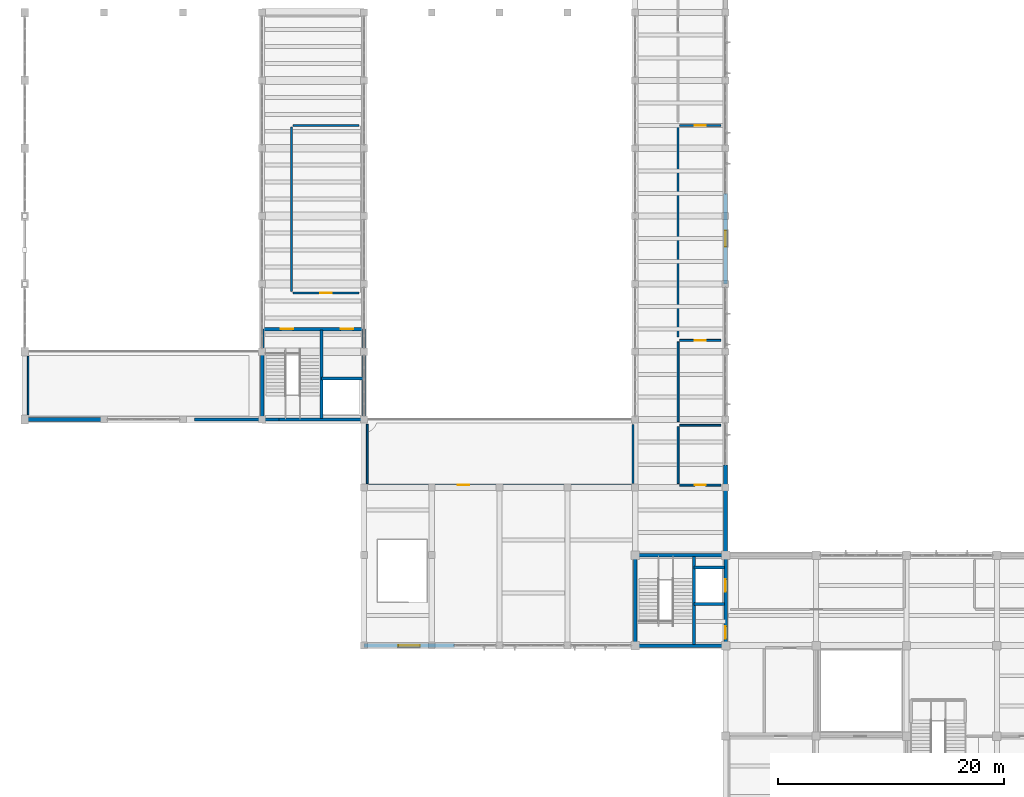
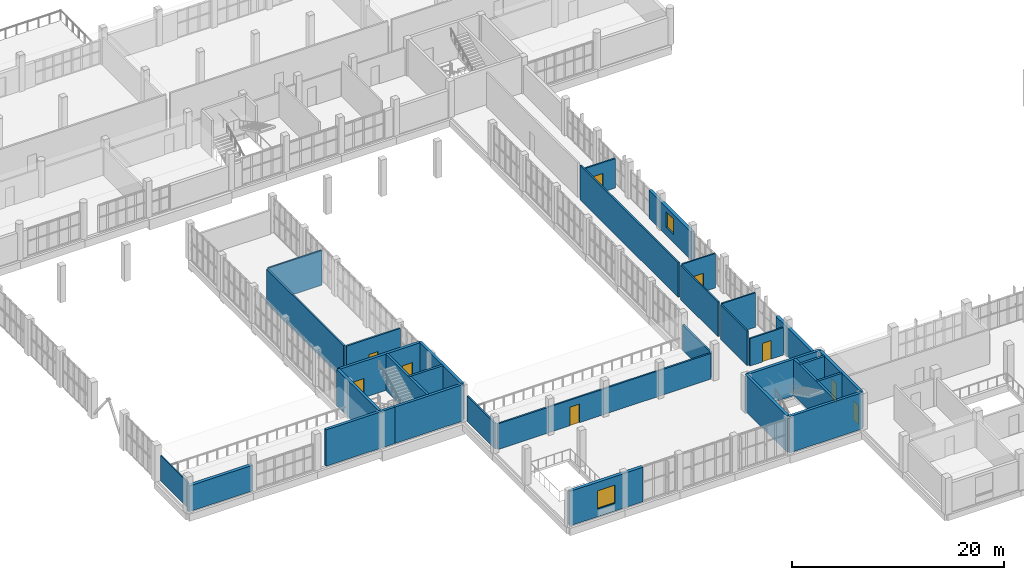
# One storey, part 63 of 85: 32 walls, 9 doors, 2 windows, 11 openings.
"""IFC4 building model written with IfcOpenShell, lengths in metres."""

from ifc_helpers import new_model, si_unit, direction, frame, frame_2d, origin, place, context, subcontext, project, spatial, rectangle, extrude, material, layer, layer_set, type_object, element, fill, save


model = new_model("IFC4")

# Units and contexts
model_context = context("Model", 3, precision=1e-05, world=origin(), true_north=direction((0.0, 1.0)))
body_context = subcontext(model_context, "Body", "Model", "MODEL_VIEW")
ifc_project = project(units=[si_unit("LENGTHUNIT", "METRE"), si_unit("AREAUNIT", "SQUARE_METRE"), si_unit("VOLUMEUNIT", "CUBIC_METRE"), si_unit("PLANEANGLEUNIT", "RADIAN"), si_unit("MASSUNIT", "GRAM", prefix="KILO")], contexts=[model_context])

# Site, building, storey
site_placement = place(None, origin())
site = spatial("IfcSite", under=ifc_project, at=site_placement, CompositionType="ELEMENT")
building_placement = place(site_placement, origin())
building = spatial("IfcBuilding", under=site, at=building_placement, Name="Solvane Community Centre", CompositionType="ELEMENT")
storey_placement = place(building_placement, frame((0.0, 0.0, 5.39990234375)))
storey = spatial("IfcBuildingStorey", under=building, at=storey_placement, Name="L01", CompositionType="ELEMENT", Elevation=5.39990234375)

# Walls
ifc_material_1 = material(Name="Gypsum board partition")
ifc_layer_1 = layer(ifc_material_1, 0.1298828125)
ifc_layer_set_1 = layer_set([ifc_layer_1], Name="Gypsum board partition")
wall_type_1 = type_object("IfcWallType", Name="Acoustic Partition 130mm [52x30dm]", PredefinedType="PARTITIONING", material=ifc_layer_set_1)
wall_1_placement = place(storey_placement, frame((6.300048828125, 47.580078125, 0.0), z_axis=(0.0, 0.0, 1.0), x_axis=(0.0, -1.0, 0.0)))
element("IfcWall", 1, at=wall_1_placement, inside=storey, type_object=wall_type_1, Name="Interior Wall WL-INT-L01-0241", PredefinedType="PARTITIONING", context=body_context, shape_type="SweptSolid", body=[
    extrude(rectangle(XDim=5.16015625, YDim=0.1298828125, at=frame_2d((2.580078125, 0.0))), origin(), (0.0, 0.0, 1.0), 2.965087890625),
])
ifc_layer_2 = layer(ifc_material_1, 0.169921875)
ifc_layer_set_2 = layer_set([ifc_layer_2], Name="Gypsum board partition")
wall_type_2 = type_object("IfcWallType", Name="Acoustic Partition 170mm [53x30dm]", PredefinedType="PARTITIONING", material=ifc_layer_set_2)
wall_2_placement = place(storey_placement, frame((36.300048828125, 41.580078125, 0.0), z_axis=(0.0, 0.0, 1.0), x_axis=(0.0, -1.0, 0.0)))
element("IfcWall", 2, at=wall_2_placement, inside=storey, type_object=wall_type_2, Name="Interior Wall WL-INT-L01-0248", PredefinedType="PARTITIONING", context=body_context, shape_type="SweptSolid", body=[
    extrude(rectangle(XDim=5.260009765625, YDim=0.169921875, at=frame_2d((2.6298828125, 0.0))), origin(), (0.0, 0.0, 1.0), 2.965087890625),
])
ifc_material_2 = material(Name="Precast concrete C35/45", Category="concrete")
ifc_layer_3 = layer(ifc_material_2, 0.35009765625)
ifc_layer_set_3 = layer_set([ifc_layer_3], Name="Precast concrete C35/45")
wall_type_3 = type_object("IfcWallType", Name="Art Deco Limestone Cavity Wall 350mm [70x30dm]", PredefinedType="SOLIDWALL", material=ifc_layer_set_3)
wall_3_placement = place(storey_placement, frame((13.0, 42.0, 0.0), z_axis=(0.0, 0.0, 1.0), x_axis=(-1.0, 0.0, 0.0)))
element("IfcWall", 3, at=wall_3_placement, inside=storey, type_object=wall_type_3, Name="Exterior Wall WL-EXT-L01-0073", PredefinedType="SOLIDWALL", context=body_context, shape_type="SweptSolid", body=[
    extrude(rectangle(XDim=7.0, YDim=0.35009765625, at=frame_2d((3.5, 0.0))), origin(), (0.0, 0.0, 1.0), 2.965087890625),
])

# Wall, opening, window
ifc_layer_4 = layer(ifc_material_2, 0.35009765625)
ifc_layer_set_4 = layer_set([ifc_layer_4], Name="Precast concrete C35/45")
wall_type_4 = type_object("IfcWallType", Name="Art Deco Limestone Cavity Wall 350mm [80x32dm]", PredefinedType="SOLIDWALL", material=ifc_layer_set_4)
wall_4_placement = place(storey_placement, frame((68.0, 62.0, 0.0), z_axis=(0.0, 0.0, 1.0), x_axis=(0.0, -1.0, 0.0)))
wall_4 = element("IfcWall", 4, at=wall_4_placement, inside=storey, type_object=wall_type_4, Name="Exterior Wall WL-EXT-L01-0088", PredefinedType="SOLIDWALL", context=body_context, shape_type="SweptSolid", body=[
    extrude(rectangle(XDim=8.0, YDim=0.35009765625, at=frame_2d((4.0, 0.0))), origin(), (0.0, 0.0, 1.0), 3.2451171875),
])
opening_1_placement = place(wall_4_placement, frame((3.300048828125, 0.0, 0.949951171875)))
opening_1 = element("IfcOpeningElement", 5, at=opening_1_placement, cuts=wall_4, Name="Opening WN05", PredefinedType="OPENING", context=body_context, shape_type="SweptSolid", body=[
    extrude(rectangle(XDim=1.39990234375, YDim=1.800048828125, at=frame_2d((0.699951171875, 0.89990234375))), frame((0.0, 0.18505859375, 0.0), z_axis=(0.0, -1.0, 0.0), x_axis=(1.0, 0.0, 0.0)), (0.0, 0.0, 1.0), 0.3701171875),
])
ifc_material_3 = material(Name="Tempered low-E double glazing", Category="glass")
window_type_1 = type_object("IfcWindowType", Name="Studio Deep-Reveal Window 1400x1800", PartitioningType="SINGLE_PANEL", PredefinedType="WINDOW", material=ifc_material_3)
window_1_placement = place(opening_1_placement, origin())
window_1 = element("IfcWindow", 6, at=window_1_placement, inside=storey, type_object=window_type_1, Name="L01-W026", OverallHeight=1.800048828125, OverallWidth=1.39990234375, PartitioningType="SINGLE_PANEL", PredefinedType="WINDOW", context=body_context, shape_type="SweptSolid", body=[
    extrude(rectangle(XDim=1.39990234375, YDim=1.800048828125, at=frame_2d((0.699951171875, 0.89990234375))), frame((0.0, 0.030029296875, 0.0), z_axis=(0.0, -1.0, 0.0), x_axis=(1.0, 0.0, 0.0)), (0.0, 0.0, 1.0), 0.06005859375),
])
fill(opening_1, window_1)

# Wall
wall_5_placement = place(storey_placement, frame((68.0, 38.0, 0.0), z_axis=(0.0, 0.0, 1.0), x_axis=(0.0, -1.0, 0.0)))
element("IfcWall", 7, at=wall_5_placement, inside=storey, type_object=wall_type_4, Name="Exterior Wall WL-EXT-L01-0089", PredefinedType="SOLIDWALL", context=body_context, shape_type="SweptSolid", body=[
    extrude(rectangle(XDim=8.0, YDim=0.35009765625, at=frame_2d((4.0, 0.0))), origin(), (0.0, 0.0, 1.0), 3.2451171875),
])

# Wall, opening, window
ifc_layer_5 = layer(ifc_material_2, 0.35009765625)
ifc_layer_set_5 = layer_set([ifc_layer_5], Name="Precast concrete C35/45")
wall_type_5 = type_object("IfcWallType", Name="Art Deco Limestone Cavity Wall 350mm [80x40dm]", PredefinedType="SOLIDWALL", material=ifc_layer_set_5)
wall_6_placement = place(storey_placement, frame((44.0, 22.0, 0.0), z_axis=(0.0, 0.0, 1.0), x_axis=(-1.0, 0.0, 0.0)))
wall_6 = element("IfcWall", 8, at=wall_6_placement, inside=storey, type_object=wall_type_5, Name="Exterior Wall WL-EXT-L01-0070", PredefinedType="SOLIDWALL", context=body_context, shape_type="SweptSolid", body=[
    extrude(rectangle(XDim=8.0, YDim=0.35009765625, at=frame_2d((4.0, 0.0))), origin(), (0.0, 0.0, 1.0), 3.97998046875),
])
opening_2_placement = place(wall_6_placement, frame((3.050048828125, 0.0, 0.89990234375)))
opening_2 = element("IfcOpeningElement", 9, at=opening_2_placement, cuts=wall_6, Name="Opening WN15", PredefinedType="OPENING", context=body_context, shape_type="SweptSolid", body=[
    extrude(rectangle(XDim=1.89990234375, YDim=2.10009765625, at=frame_2d((0.949951171875, 1.050048828125))), frame((0.0, 0.18505859375, 0.0), z_axis=(0.0, -1.0, 0.0), x_axis=(1.0, 0.0, 0.0)), (0.0, 0.0, 1.0), 0.3701171875),
])
window_type_2 = type_object("IfcWindowType", Name="Belvedere Seminar Window 1900x2100", PartitioningType="DOUBLE_PANEL_VERTICAL", PredefinedType="WINDOW", material=ifc_material_3)
window_2_placement = place(opening_2_placement, origin())
window_2 = element("IfcWindow", 10, at=window_2_placement, inside=storey, type_object=window_type_2, Name="L01-W025", OverallHeight=2.10009765625, OverallWidth=1.89990234375, PartitioningType="DOUBLE_PANEL_VERTICAL", PredefinedType="WINDOW", context=body_context, shape_type="SweptSolid", body=[
    extrude(rectangle(XDim=1.89990234375, YDim=2.10009765625, at=frame_2d((0.949951171875, 1.050048828125))), frame((0.0, 0.030029296875, 0.0), z_axis=(0.0, -1.0, 0.0), x_axis=(1.0, 0.0, 0.0)), (0.0, 0.0, 1.0), 0.06005859375),
])
fill(opening_2, window_2)

# Walls
ifc_layer_6 = layer(ifc_material_1, 0.179931640625)
ifc_layer_set_6 = layer_set([ifc_layer_6], Name="Gypsum board partition")
wall_type_6 = type_object("IfcWallType", Name="Protected Corridor Wall 180mm [146x40dm]", PredefinedType="PARTITIONING", material=ifc_layer_set_6)
wall_7_placement = place(storey_placement, frame((29.60009765625, 67.8798828125, 0.0), z_axis=(0.0, 0.0, 1.0), x_axis=(0.0, -1.0, 0.0)))
element("IfcWall", 11, at=wall_7_placement, inside=storey, type_object=wall_type_6, Name="Interior Wall WL-INT-L01-0244", PredefinedType="PARTITIONING", context=body_context, shape_type="SweptSolid", body=[
    extrude(rectangle(XDim=14.559814453125, YDim=0.179931640625, at=frame_2d((7.27978515625, 0.0))), origin(), (0.0, 0.0, 1.0), 3.97998046875),
])
ifc_layer_7 = layer(ifc_material_1, 0.179931640625)
ifc_layer_set_7 = layer_set([ifc_layer_7], Name="Gypsum board partition")
wall_type_7 = type_object("IfcWallType", Name="Protected Corridor Wall 180mm [186x40dm]", PredefinedType="PARTITIONING", material=ifc_layer_set_7)
wall_8_placement = place(storey_placement, frame((63.800048828125, 67.8798828125, 0.0), z_axis=(0.0, 0.0, 1.0), x_axis=(0.0, -1.0, 0.0)))
element("IfcWall", 12, at=wall_8_placement, inside=storey, type_object=wall_type_7, Name="Interior Wall WL-INT-L01-0255", PredefinedType="PARTITIONING", context=body_context, shape_type="SweptSolid", body=[
    extrude(rectangle(XDim=18.559814453125, YDim=0.179931640625, at=frame_2d((9.27978515625, 0.0))), origin(), (0.0, 0.0, 1.0), 3.97998046875),
])

# Wall, opening, door
ifc_layer_8 = layer(ifc_material_1, 0.179931640625)
ifc_layer_set_8 = layer_set([ifc_layer_8], Name="Gypsum board partition")
wall_type_8 = type_object("IfcWallType", Name="Protected Corridor Wall 180mm [233x30dm]", PredefinedType="PARTITIONING", material=ifc_layer_set_8)
wall_9_placement = place(storey_placement, frame((36.419921875, 36.199951171875, 0.0), z_axis=(0.0, 0.0, 1.0), x_axis=(1.0, 0.0, 0.0)))
wall_9 = element("IfcWall", 13, at=wall_9_placement, inside=storey, type_object=wall_type_8, Name="Interior Wall WL-INT-L01-0246", PredefinedType="PARTITIONING", context=body_context, shape_type="SweptSolid", body=[
    extrude(rectangle(XDim=23.260009765625, YDim=0.179931640625, at=frame_2d((11.6298828125, 0.0))), origin(), (0.0, 0.0, 1.0), 2.965087890625),
])
opening_3_placement = place(wall_9_placement, frame((7.881103515625, 0.0, 0.0)))
opening_3 = element("IfcOpeningElement", 14, at=opening_3_placement, cuts=wall_9, Name="Opening ID01", PredefinedType="OPENING", context=body_context, shape_type="SweptSolid", body=[
    extrude(rectangle(XDim=1.0, YDim=2.14990234375, at=frame_2d((0.5, 1.074951171875))), frame((0.0, 0.099853515625, 0.0), z_axis=(0.0, -1.0, 0.0), x_axis=(1.0, 0.0, 0.0)), (0.0, 0.0, 1.0), 0.199951171875),
])
ifc_material_4 = material(Name="Anodised bronze aluminium AW-6063 T6", Category="aluminium")
door_type_1 = type_object("IfcDoorType", Name="Corridor Rated Classroom Door 1000x2150", OperationType="NOTDEFINED", PredefinedType="DOOR", material=ifc_material_4)
door_1_placement = place(opening_3_placement, origin())
door_1 = element("IfcDoor", 15, at=door_1_placement, inside=storey, type_object=door_type_1, Name="L01-D088", OperationType="SINGLE_SWING_RIGHT", OverallHeight=2.14990234375, OverallWidth=1.0, PredefinedType="DOOR", context=body_context, shape_type="SweptSolid", body=[
    extrude(rectangle(XDim=1.0, YDim=2.14990234375, at=frame_2d((0.5, 1.074951171875))), frame((0.0, 0.02490234375, 0.0), z_axis=(0.0, -1.0, 0.0), x_axis=(1.0, 0.0, 0.0)), (0.0, 0.0, 1.0), 0.050048828125),
])
fill(opening_3, door_1)

ifc_layer_9 = layer(ifc_material_1, 0.179931640625)
ifc_layer_set_9 = layer_set([ifc_layer_9], Name="Gypsum board partition")
wall_type_9 = type_object("IfcWallType", Name="Protected Corridor Wall 180mm [37x34dm]", PredefinedType="PARTITIONING", material=ifc_layer_set_9)
wall_10_placement = place(storey_placement, frame((67.580078125, 68.0, 0.0), z_axis=(0.0, 0.0, 1.0), x_axis=(-1.0, 0.0, 0.0)))
wall_10 = element("IfcWall", 16, at=wall_10_placement, inside=storey, type_object=wall_type_9, Name="Interior Wall WL-INT-L01-0254", PredefinedType="PARTITIONING", context=body_context, shape_type="SweptSolid", body=[
    extrude(rectangle(XDim=3.66015625, YDim=0.179931640625, at=frame_2d((1.830078125, 0.0))), origin(), (0.0, 0.0, 1.0), 3.385009765625),
])
opening_4_placement = place(wall_10_placement, frame((1.330078125, 0.0, 0.0)))
opening_4 = element("IfcOpeningElement", 17, at=opening_4_placement, cuts=wall_10, Name="Opening ID01", PredefinedType="OPENING", context=body_context, shape_type="SweptSolid", body=[
    extrude(rectangle(XDim=1.0, YDim=2.14990234375, at=frame_2d((0.5, 1.074951171875))), frame((0.0, 0.099853515625, 0.0), z_axis=(0.0, -1.0, 0.0), x_axis=(1.0, 0.0, 0.0)), (0.0, 0.0, 1.0), 0.199951171875),
])
door_2_placement = place(opening_4_placement, origin())
door_2 = element("IfcDoor", 18, at=door_2_placement, inside=storey, type_object=door_type_1, Name="L01-D091", OperationType="SINGLE_SWING_LEFT", OverallHeight=2.14990234375, OverallWidth=1.0, PredefinedType="DOOR", context=body_context, shape_type="SweptSolid", body=[
    extrude(rectangle(XDim=1.0, YDim=2.14990234375, at=frame_2d((0.5, 1.074951171875))), frame((0.0, 0.02490234375, 0.0), z_axis=(0.0, -1.0, 0.0), x_axis=(1.0, 0.0, 0.0)), (0.0, 0.0, 1.0), 0.050048828125),
])
fill(opening_4, door_2)

# Wall
ifc_layer_10 = layer(ifc_material_1, 0.179931640625)
ifc_layer_set_10 = layer_set([ifc_layer_10], Name="Gypsum board partition")
wall_type_10 = type_object("IfcWallType", Name="Protected Corridor Wall 180mm [53x30dm]", PredefinedType="PARTITIONING", material=ifc_layer_set_10)
wall_11_placement = place(storey_placement, frame((59.800048828125, 36.320068359375, 0.0), z_axis=(0.0, 0.0, 1.0), x_axis=(0.0, 1.0, 0.0)))
element("IfcWall", 19, at=wall_11_placement, inside=storey, type_object=wall_type_10, Name="Interior Wall WL-INT-L01-0247", PredefinedType="PARTITIONING", context=body_context, shape_type="SweptSolid", body=[
    extrude(rectangle(XDim=5.260009765625, YDim=0.179931640625, at=frame_2d((2.6298828125, 0.0))), origin(), (0.0, 0.0, 1.0), 2.965087890625),
])

# Wall, opening, door
ifc_layer_11 = layer(ifc_material_1, 0.179931640625)
ifc_layer_set_11 = layer_set([ifc_layer_11], Name="Gypsum board partition")
wall_type_11 = type_object("IfcWallType", Name="Protected Corridor Wall 180mm [59x40dm]", PredefinedType="PARTITIONING", material=ifc_layer_set_11)
wall_12_placement = place(storey_placement, frame((29.719970703125, 53.199951171875, 0.0), z_axis=(0.0, 0.0, 1.0), x_axis=(1.0, 0.0, 0.0)))
wall_12 = element("IfcWall", 20, at=wall_12_placement, inside=storey, type_object=wall_type_11, Name="Interior Wall WL-INT-L01-0242", PredefinedType="PARTITIONING", context=body_context, shape_type="SweptSolid", body=[
    extrude(rectangle(XDim=5.860107421875, YDim=0.179931640625, at=frame_2d((2.93017578125, 0.0))), origin(), (0.0, 0.0, 1.0), 3.97998046875),
])
opening_5_placement = place(wall_12_placement, frame((2.429931640625, 0.0, 0.0)))
opening_5 = element("IfcOpeningElement", 21, at=opening_5_placement, cuts=wall_12, Name="Opening ID01", PredefinedType="OPENING", context=body_context, shape_type="SweptSolid", body=[
    extrude(rectangle(XDim=1.0, YDim=2.14990234375, at=frame_2d((0.5, 1.074951171875))), frame((0.0, 0.099853515625, 0.0), z_axis=(0.0, -1.0, 0.0), x_axis=(1.0, 0.0, 0.0)), (0.0, 0.0, 1.0), 0.199951171875),
])
door_3_placement = place(opening_5_placement, origin())
door_3 = element("IfcDoor", 22, at=door_3_placement, inside=storey, type_object=door_type_1, Name="L01-D087", OperationType="SINGLE_SWING_LEFT", OverallHeight=2.14990234375, OverallWidth=1.0, PredefinedType="DOOR", context=body_context, shape_type="SweptSolid", body=[
    extrude(rectangle(XDim=1.0, YDim=2.14990234375, at=frame_2d((0.5, 1.074951171875))), frame((0.0, 0.02490234375, 0.0), z_axis=(0.0, -1.0, 0.0), x_axis=(1.0, 0.0, 0.0)), (0.0, 0.0, 1.0), 0.050048828125),
])
fill(opening_5, door_3)

# Walls
wall_13_placement = place(storey_placement, frame((35.580078125, 68.0, 0.0), z_axis=(0.0, 0.0, 1.0), x_axis=(-1.0, 0.0, 0.0)))
element("IfcWall", 23, at=wall_13_placement, inside=storey, type_object=wall_type_11, Name="Interior Wall WL-INT-L01-0243", PredefinedType="PARTITIONING", context=body_context, shape_type="SweptSolid", body=[
    extrude(rectangle(XDim=5.860107421875, YDim=0.179931640625, at=frame_2d((2.93017578125, 0.0))), origin(), (0.0, 0.0, 1.0), 3.97998046875),
])
ifc_material_5 = material(Name="Concrete C35/45", Category="concrete")
ifc_layer_12 = layer(ifc_material_5, 0.300048828125)
ifc_layer_set_12 = layer_set([ifc_layer_12], Name="Concrete C35/45")
wall_type_12 = type_object("IfcWallType", Name="RC Core Shear Wall 300mm [80x42dm]", PredefinedType="SHEAR", material=ifc_layer_set_12)
for number, where, z_axis, x_axis, name in (
    (24, (60.0, 22.0, 0.0), (0.0, 0.0, 1.0), (0.0, 1.0, 0.0), "Interior Wall WL-INT-L01-0007"),
    (25, (60.0, 30.0, 0.0), (0.0, 0.0, 1.0), (1.0, 0.0, 0.0), "Interior Wall WL-INT-L01-0008"),
):
    element("IfcWall", number, at=place(storey_placement, frame(where, z_axis=z_axis, x_axis=x_axis)), inside=storey, type_object=wall_type_12, Name=name, PredefinedType="SHEAR", context=body_context, shape_type="SweptSolid", body=[
        extrude(rectangle(XDim=8.0, YDim=0.300048828125, at=frame_2d((4.0, 0.0))), origin(), (0.0, 0.0, 1.0), 4.2001953125),
    ])

# Wall, openings, doors
wall_14_placement = place(storey_placement, frame((68.0, 30.0, 0.0), z_axis=(0.0, 0.0, 1.0), x_axis=(0.0, -1.0, 0.0)))
wall_14 = element("IfcWall", 26, at=wall_14_placement, inside=storey, type_object=wall_type_12, Name="Interior Wall WL-INT-L01-0009", PredefinedType="SHEAR", context=body_context, shape_type="SweptSolid", body=[
    extrude(rectangle(XDim=8.0, YDim=0.300048828125, at=frame_2d((4.0, 0.0))), origin(), (0.0, 0.0, 1.0), 4.2001953125),
])
opening_6_placement = place(wall_14_placement, frame((6.300048828125, 0.0, 0.0)))
opening_6 = element("IfcOpeningElement", 27, at=opening_6_placement, cuts=wall_14, Name="Opening SD02", PredefinedType="OPENING", context=body_context, shape_type="SweptSolid", body=[
    extrude(rectangle(XDim=1.10009765625, YDim=2.199951171875, at=frame_2d((0.550048828125, 1.10009765625))), frame((0.0, 0.159912109375, 0.0), z_axis=(0.0, -1.0, 0.0), x_axis=(1.0, 0.0, 0.0)), (0.0, 0.0, 1.0), 0.320068359375),
])
opening_7_placement = place(wall_14_placement, frame((2.14990234375, 0.0, 0.0)))
opening_7 = element("IfcOpeningElement", 28, at=opening_7_placement, cuts=wall_14, Name="Opening LD01", PredefinedType="OPENING", context=body_context, shape_type="SweptSolid", body=[
    extrude(rectangle(XDim=1.10009765625, YDim=2.199951171875, at=frame_2d((0.550048828125, 1.10009765625))), frame((0.0, 0.159912109375, 0.0), z_axis=(0.0, -1.0, 0.0), x_axis=(1.0, 0.0, 0.0)), (0.0, 0.0, 1.0), 0.320068359375),
])
door_type_2 = type_object("IfcDoorType", Name="Core Stair Fire Door 1100x2200", OperationType="NOTDEFINED", PredefinedType="DOOR", material=ifc_material_4)
door_4_placement = place(opening_6_placement, origin())
door_4 = element("IfcDoor", 29, at=door_4_placement, inside=storey, type_object=door_type_2, Name="L01-D003", OperationType="SINGLE_SWING_RIGHT", OverallHeight=2.199951171875, OverallWidth=1.10009765625, PredefinedType="DOOR", context=body_context, shape_type="SweptSolid", body=[
    extrude(rectangle(XDim=1.10009765625, YDim=2.199951171875, at=frame_2d((0.550048828125, 1.10009765625))), frame((0.0, 0.02490234375, 0.0), z_axis=(0.0, -1.0, 0.0), x_axis=(1.0, 0.0, 0.0)), (0.0, 0.0, 1.0), 0.050048828125),
])
fill(opening_6, door_4)
door_type_3 = type_object("IfcDoorType", Name="Lift Sliding Landing Door 1100x2200", OperationType="NOTDEFINED", PredefinedType="DOOR", material=ifc_material_4)
door_5_placement = place(opening_7_placement, origin())
door_5 = element("IfcDoor", 30, at=door_5_placement, inside=storey, type_object=door_type_3, Name="L01-D004", OperationType="SLIDING_TO_LEFT", OverallHeight=2.199951171875, OverallWidth=1.10009765625, PredefinedType="DOOR", context=body_context, shape_type="SweptSolid", body=[
    extrude(rectangle(XDim=1.10009765625, YDim=2.199951171875, at=frame_2d((0.550048828125, 1.10009765625))), frame((0.0, 0.02490234375, 0.0), z_axis=(0.0, -1.0, 0.0), x_axis=(1.0, 0.0, 0.0)), (0.0, 0.0, 1.0), 0.050048828125),
])
fill(opening_7, door_5)

# Walls
for number, where, z_axis, x_axis, name in (
    (31, (27.0, 42.0, 0.0), (0.0, 0.0, 1.0), (0.0, 1.0, 0.0), "Interior Wall WL-INT-L01-0094"),
    (32, (36.0, 50.0, 0.0), (0.0, 0.0, 1.0), (0.0, -1.0, 0.0), "Interior Wall WL-INT-L01-0096"),
):
    element("IfcWall", number, at=place(storey_placement, frame(where, z_axis=z_axis, x_axis=x_axis)), inside=storey, type_object=wall_type_12, Name=name, PredefinedType="SHEAR", context=body_context, shape_type="SweptSolid", body=[
        extrude(rectangle(XDim=8.0, YDim=0.300048828125, at=frame_2d((4.0, 0.0))), origin(), (0.0, 0.0, 1.0), 4.2001953125),
    ])

# Wall, openings, doors
ifc_layer_13 = layer(ifc_material_5, 0.300048828125)
ifc_layer_set_13 = layer_set([ifc_layer_13], Name="Concrete C35/45")
wall_type_13 = type_object("IfcWallType", Name="RC Core Shear Wall 300mm [90x42dm]", PredefinedType="SHEAR", material=ifc_layer_set_13)
wall_15_placement = place(storey_placement, frame((27.0, 50.0, 0.0), z_axis=(0.0, 0.0, 1.0), x_axis=(1.0, 0.0, 0.0)))
wall_15 = element("IfcWall", 33, at=wall_15_placement, inside=storey, type_object=wall_type_13, Name="Interior Wall WL-INT-L01-0095", PredefinedType="SHEAR", context=body_context, shape_type="SweptSolid", body=[
    extrude(rectangle(XDim=9.0, YDim=0.300048828125, at=frame_2d((4.5, 0.0))), origin(), (0.0, 0.0, 1.0), 4.2001953125),
])
opening_8_placement = place(wall_15_placement, frame((1.64990234375, 0.0, 0.0)))
opening_8 = element("IfcOpeningElement", 34, at=opening_8_placement, cuts=wall_15, Name="Opening SD02", PredefinedType="OPENING", context=body_context, shape_type="SweptSolid", body=[
    extrude(rectangle(XDim=1.10009765625, YDim=2.199951171875, at=frame_2d((0.550048828125, 1.10009765625))), frame((0.0, 0.159912109375, 0.0), z_axis=(0.0, -1.0, 0.0), x_axis=(1.0, 0.0, 0.0)), (0.0, 0.0, 1.0), 0.320068359375),
])
opening_9_placement = place(wall_15_placement, frame((6.949951171875, 0.0, 0.0)))
opening_9 = element("IfcOpeningElement", 35, at=opening_9_placement, cuts=wall_15, Name="Opening LD01", PredefinedType="OPENING", context=body_context, shape_type="SweptSolid", body=[
    extrude(rectangle(XDim=1.10009765625, YDim=2.199951171875, at=frame_2d((0.550048828125, 1.10009765625))), frame((0.0, 0.159912109375, 0.0), z_axis=(0.0, -1.0, 0.0), x_axis=(1.0, 0.0, 0.0)), (0.0, 0.0, 1.0), 0.320068359375),
])
door_6_placement = place(opening_8_placement, origin())
door_6 = element("IfcDoor", 36, at=door_6_placement, inside=storey, type_object=door_type_2, Name="L01-D035", OperationType="SINGLE_SWING_RIGHT", OverallHeight=2.199951171875, OverallWidth=1.10009765625, PredefinedType="DOOR", context=body_context, shape_type="SweptSolid", body=[
    extrude(rectangle(XDim=1.10009765625, YDim=2.199951171875, at=frame_2d((0.550048828125, 1.10009765625))), frame((0.0, 0.02490234375, 0.0), z_axis=(0.0, -1.0, 0.0), x_axis=(1.0, 0.0, 0.0)), (0.0, 0.0, 1.0), 0.050048828125),
])
fill(opening_8, door_6)
door_7_placement = place(opening_9_placement, origin())
door_7 = element("IfcDoor", 37, at=door_7_placement, inside=storey, type_object=door_type_3, Name="L01-D036", OperationType="SLIDING_TO_LEFT", OverallHeight=2.199951171875, OverallWidth=1.10009765625, PredefinedType="DOOR", context=body_context, shape_type="SweptSolid", body=[
    extrude(rectangle(XDim=1.10009765625, YDim=2.199951171875, at=frame_2d((0.550048828125, 1.10009765625))), frame((0.0, 0.02490234375, 0.0), z_axis=(0.0, -1.0, 0.0), x_axis=(1.0, 0.0, 0.0)), (0.0, 0.0, 1.0), 0.050048828125),
])
fill(opening_9, door_7)

# Walls
ifc_layer_14 = layer(ifc_material_5, 0.300048828125)
ifc_layer_set_14 = layer_set([ifc_layer_14], Name="Concrete C35/45")
wall_type_14 = type_object("IfcWallType", Name="RC Exterior Core Strip Wall 300mm [75x28dm]", PredefinedType="SOLIDWALL", material=ifc_layer_set_14)
for number, where, z_axis, x_axis, name in (
    (38, (36.0, 42.0, 0.0), (0.0, 0.0, 1.0), (-1.0, 0.0, 0.0), "Exterior Wall WL-EXT-L01-0071"),
    (39, (28.5, 42.0, 0.0), (0.0, 0.0, 1.0), (-1.0, 0.0, 0.0), "Exterior Wall WL-EXT-L01-0072"),
):
    element("IfcWall", number, at=place(storey_placement, frame(where, z_axis=z_axis, x_axis=x_axis)), inside=storey, type_object=wall_type_14, Name=name, PredefinedType="SOLIDWALL", context=body_context, shape_type="SweptSolid", body=[
        extrude(rectangle(XDim=7.5, YDim=0.300048828125, at=frame_2d((3.75, 0.0))), origin(), (0.0, 0.0, 1.0), 4.2001953125),
    ])
ifc_layer_15 = layer(ifc_material_5, 0.300048828125)
ifc_layer_set_15 = layer_set([ifc_layer_15], Name="Concrete C35/45")
wall_type_15 = type_object("IfcWallType", Name="RC Exterior Core Strip Wall 300mm [80x32dm]", PredefinedType="SOLIDWALL", material=ifc_layer_set_15)
wall_16_placement = place(storey_placement, frame((68.0, 22.0, 0.0), z_axis=(0.0, 0.0, 1.0), x_axis=(-1.0, 0.0, 0.0)))
element("IfcWall", 40, at=wall_16_placement, inside=storey, type_object=wall_type_15, Name="Exterior Wall WL-EXT-L01-0069", PredefinedType="SOLIDWALL", context=body_context, shape_type="SweptSolid", body=[
    extrude(rectangle(XDim=8.0, YDim=0.300048828125, at=frame_2d((4.0, 0.0))), origin(), (0.0, 0.0, 1.0), 4.2001953125),
])
ifc_layer_16 = layer(ifc_material_5, 0.25)
ifc_layer_set_16 = layer_set([ifc_layer_16], Name="Concrete C35/45")
wall_type_16 = type_object("IfcWallType", Name="RC Lift Shaft Wall 250mm [27x42dm]", PredefinedType="SHEAR", material=ifc_layer_set_16)
for number, where, z_axis, x_axis, name in (
    (41, (65.199951171875, 25.679931640625, 0.0), (0.0, 0.0, 1.0), (1.0, 0.0, 0.0), "Interior Wall WL-INT-L01-0011"),
    (42, (65.199951171875, 28.919921875, 0.0), (0.0, 0.0, 1.0), (1.0, 0.0, 0.0), "Interior Wall WL-INT-L01-0012"),
):
    element("IfcWall", number, at=place(storey_placement, frame(where, z_axis=z_axis, x_axis=x_axis)), inside=storey, type_object=wall_type_16, Name=name, PredefinedType="SHEAR", context=body_context, shape_type="SweptSolid", body=[
        extrude(rectangle(XDim=2.699951171875, YDim=0.25, at=frame_2d((1.35009765625, 0.0))), origin(), (0.0, 0.0, 1.0), 4.2001953125),
    ])
ifc_layer_17 = layer(ifc_material_5, 0.25)
ifc_layer_set_17 = layer_set([ifc_layer_17], Name="Concrete C35/45")
wall_type_17 = type_object("IfcWallType", Name="RC Lift Shaft Wall 250mm [36x42dm]", PredefinedType="SHEAR", material=ifc_layer_set_17)
wall_17_placement = place(storey_placement, frame((32.25, 45.6201171875, 0.0), z_axis=(0.0, 0.0, 1.0), x_axis=(1.0, 0.0, 0.0)))
element("IfcWall", 43, at=wall_17_placement, inside=storey, type_object=wall_type_17, Name="Interior Wall WL-INT-L01-0098", PredefinedType="SHEAR", context=body_context, shape_type="SweptSolid", body=[
    extrude(rectangle(XDim=3.64990234375, YDim=0.25, at=frame_2d((1.824951171875, 0.0))), origin(), (0.0, 0.0, 1.0), 4.2001953125),
])
ifc_layer_18 = layer(ifc_material_5, 0.25)
ifc_layer_set_18 = layer_set([ifc_layer_18], Name="Concrete C35/45")
wall_type_18 = type_object("IfcWallType", Name="RC Lift Shaft Wall 250mm [78x42dm]", PredefinedType="SHEAR", material=ifc_layer_set_18)
for number, where, z_axis, x_axis, name in (
    (44, (65.199951171875, 22.10009765625, 0.0), (0.0, 0.0, 1.0), (0.0, 1.0, 0.0), "Interior Wall WL-INT-L01-0010"),
    (45, (32.25, 42.10009765625, 0.0), (0.0, 0.0, 1.0), (0.0, 1.0, 0.0), "Interior Wall WL-INT-L01-0097"),
):
    element("IfcWall", number, at=place(storey_placement, frame(where, z_axis=z_axis, x_axis=x_axis)), inside=storey, type_object=wall_type_18, Name=name, PredefinedType="SHEAR", context=body_context, shape_type="SweptSolid", body=[
        extrude(rectangle(XDim=7.7998046875, YDim=0.25, at=frame_2d((3.89990234375, 0.0))), origin(), (0.0, 0.0, 1.0), 4.2001953125),
    ])

# Wall, opening, door
ifc_layer_19 = layer(ifc_material_1, 0.159912109375)
ifc_layer_set_19 = layer_set([ifc_layer_19], Name="Gypsum board partition")
wall_type_19 = type_object("IfcWallType", Name="Sanitary Plumbing Chase Wall 160mm [37x32dm]", PredefinedType="PLUMBINGWALL", material=ifc_layer_set_19)
wall_18_placement = place(storey_placement, frame((63.919921875, 36.199951171875, 0.0), z_axis=(0.0, 0.0, 1.0), x_axis=(1.0, 0.0, 0.0)))
wall_18 = element("IfcWall", 46, at=wall_18_placement, inside=storey, type_object=wall_type_19, Name="Interior Wall WL-INT-L01-0249", PredefinedType="PLUMBINGWALL", context=body_context, shape_type="SweptSolid", body=[
    extrude(rectangle(XDim=3.66015625, YDim=0.159912109375, at=frame_2d((1.830078125, 0.0))), origin(), (0.0, 0.0, 1.0), 3.1650390625),
])
opening_10_placement = place(wall_18_placement, frame((1.35498046875, 0.0, 0.0)))
opening_10 = element("IfcOpeningElement", 47, at=opening_10_placement, cuts=wall_18, Name="Opening ID03", PredefinedType="OPENING", context=body_context, shape_type="SweptSolid", body=[
    extrude(rectangle(XDim=0.949951171875, YDim=2.14990234375, at=frame_2d((0.47509765625, 1.074951171875))), frame((0.0, 0.08984375, 0.0), z_axis=(0.0, -1.0, 0.0), x_axis=(1.0, 0.0, 0.0)), (0.0, 0.0, 1.0), 0.179931640625),
])
door_type_4 = type_object("IfcDoorType", Name="Accessible Sanitary Door 950x2150", OperationType="NOTDEFINED", PredefinedType="DOOR", material=ifc_material_4)
door_8_placement = place(opening_10_placement, origin())
door_8 = element("IfcDoor", 48, at=door_8_placement, inside=storey, type_object=door_type_4, Name="L01-D089", OperationType="SINGLE_SWING_LEFT", OverallHeight=2.14990234375, OverallWidth=0.949951171875, PredefinedType="DOOR", context=body_context, shape_type="SweptSolid", body=[
    extrude(rectangle(XDim=0.949951171875, YDim=2.14990234375, at=frame_2d((0.47509765625, 1.074951171875))), frame((0.0, 0.02490234375, 0.0), z_axis=(0.0, -1.0, 0.0), x_axis=(1.0, 0.0, 0.0)), (0.0, 0.0, 1.0), 0.050048828125),
])
fill(opening_10, door_8)

# Wall
ifc_layer_20 = layer(ifc_material_1, 0.159912109375)
ifc_layer_set_20 = layer_set([ifc_layer_20], Name="Gypsum board partition")
wall_type_20 = type_object("IfcWallType", Name="Sanitary Plumbing Chase Wall 160mm [37x40dm]", PredefinedType="PLUMBINGWALL", material=ifc_layer_set_20)
wall_19_placement = place(storey_placement, frame((67.580078125, 41.5, 0.0), z_axis=(0.0, 0.0, 1.0), x_axis=(-1.0, 0.0, 0.0)))
element("IfcWall", 49, at=wall_19_placement, inside=storey, type_object=wall_type_20, Name="Interior Wall WL-INT-L01-0250", PredefinedType="PLUMBINGWALL", context=body_context, shape_type="SweptSolid", body=[
    extrude(rectangle(XDim=3.66015625, YDim=0.159912109375, at=frame_2d((1.830078125, 0.0))), origin(), (0.0, 0.0, 1.0), 3.97998046875),
])

# Wall, opening, door
wall_20_placement = place(storey_placement, frame((67.580078125, 49.0, 0.0), z_axis=(0.0, 0.0, 1.0), x_axis=(-1.0, 0.0, 0.0)))
wall_20 = element("IfcWall", 50, at=wall_20_placement, inside=storey, type_object=wall_type_20, Name="Interior Wall WL-INT-L01-0252", PredefinedType="PLUMBINGWALL", context=body_context, shape_type="SweptSolid", body=[
    extrude(rectangle(XDim=3.66015625, YDim=0.159912109375, at=frame_2d((1.830078125, 0.0))), origin(), (0.0, 0.0, 1.0), 3.97998046875),
])
opening_11_placement = place(wall_20_placement, frame((1.35498046875, 0.0, 0.0)))
opening_11 = element("IfcOpeningElement", 51, at=opening_11_placement, cuts=wall_20, Name="Opening ID03", PredefinedType="OPENING", context=body_context, shape_type="SweptSolid", body=[
    extrude(rectangle(XDim=0.949951171875, YDim=2.14990234375, at=frame_2d((0.47509765625, 1.074951171875))), frame((0.0, 0.08984375, 0.0), z_axis=(0.0, -1.0, 0.0), x_axis=(1.0, 0.0, 0.0)), (0.0, 0.0, 1.0), 0.179931640625),
])
door_9_placement = place(opening_11_placement, origin())
door_9 = element("IfcDoor", 52, at=door_9_placement, inside=storey, type_object=door_type_4, Name="L01-D090", OperationType="SINGLE_SWING_RIGHT", OverallHeight=2.14990234375, OverallWidth=0.949951171875, PredefinedType="DOOR", context=body_context, shape_type="SweptSolid", body=[
    extrude(rectangle(XDim=0.949951171875, YDim=2.14990234375, at=frame_2d((0.47509765625, 1.074951171875))), frame((0.0, 0.02490234375, 0.0), z_axis=(0.0, -1.0, 0.0), x_axis=(1.0, 0.0, 0.0)), (0.0, 0.0, 1.0), 0.050048828125),
])
fill(opening_11, door_9)

# Walls
ifc_layer_21 = layer(ifc_material_1, 0.159912109375)
ifc_layer_set_21 = layer_set([ifc_layer_21], Name="Gypsum board partition")
wall_type_21 = type_object("IfcWallType", Name="Sanitary Plumbing Chase Wall 160mm [51x40dm]", PredefinedType="PLUMBINGWALL", material=ifc_layer_set_21)
wall_21_placement = place(storey_placement, frame((63.800048828125, 41.3798828125, 0.0), z_axis=(0.0, 0.0, 1.0), x_axis=(0.0, -1.0, 0.0)))
element("IfcWall", 53, at=wall_21_placement, inside=storey, type_object=wall_type_21, Name="Interior Wall WL-INT-L01-0251", PredefinedType="PLUMBINGWALL", context=body_context, shape_type="SweptSolid", body=[
    extrude(rectangle(XDim=5.059814453125, YDim=0.159912109375, at=frame_2d((2.52978515625, 0.0))), origin(), (0.0, 0.0, 1.0), 3.97998046875),
])
ifc_layer_22 = layer(ifc_material_1, 0.159912109375)
ifc_layer_set_22 = layer_set([ifc_layer_22], Name="Gypsum board partition")
wall_type_22 = type_object("IfcWallType", Name="Sanitary Plumbing Chase Wall 160mm [71x40dm]", PredefinedType="PLUMBINGWALL", material=ifc_layer_set_22)
wall_22_placement = place(storey_placement, frame((63.800048828125, 48.8798828125, 0.0), z_axis=(0.0, 0.0, 1.0), x_axis=(0.0, -1.0, 0.0)))
element("IfcWall", 54, at=wall_22_placement, inside=storey, type_object=wall_type_22, Name="Interior Wall WL-INT-L01-0253", PredefinedType="PLUMBINGWALL", context=body_context, shape_type="SweptSolid", body=[
    extrude(rectangle(XDim=7.059814453125, YDim=0.159912109375, at=frame_2d((3.52978515625, 0.0))), origin(), (0.0, 0.0, 1.0), 3.97998046875),
])

save(model, "model.ifc")
